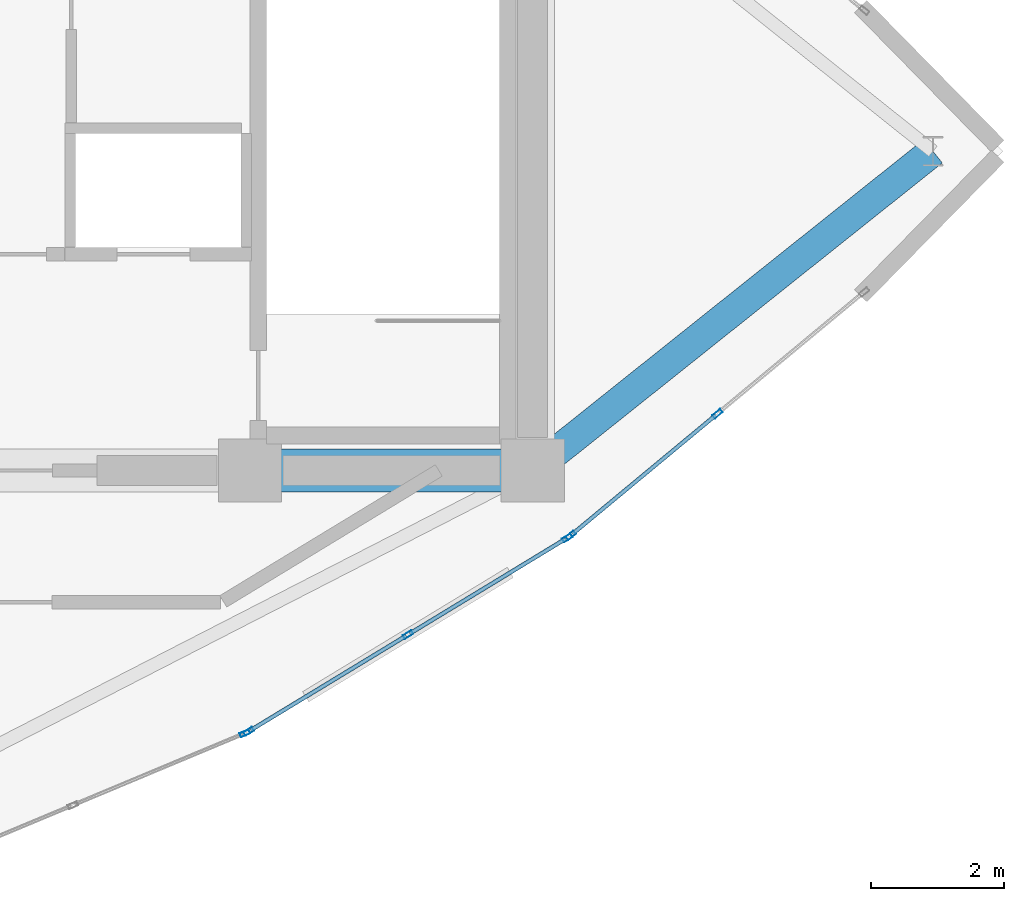
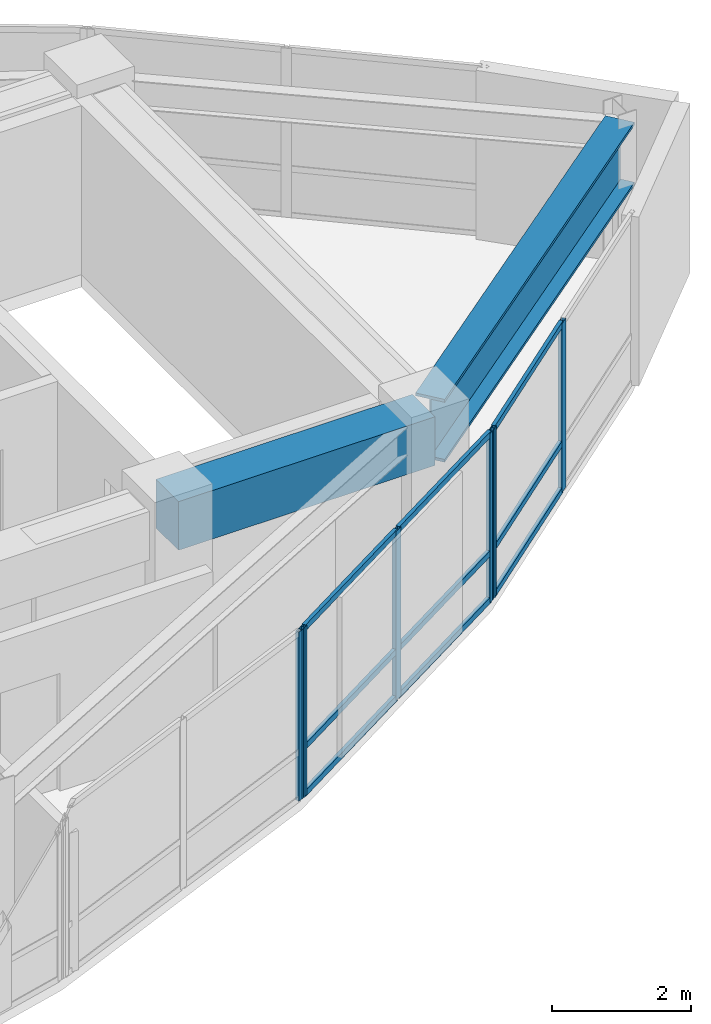
# One storey, part 5 of 13: 15 members, 2 beams, 3 elements without a shape of their own.
"""IFC4 building model written with IfcOpenShell, lengths in metres."""

from ifc_helpers import new_model, si_unit, direction, frame, origin, origin_2d, place, context, subcontext, project, spatial, rectangle, hollow_rectangle, i_section, extrude, material, layer, layer_set, material_profile, profile_set, type_object, element, aggregate, save


model = new_model("IFC4")

# Units and contexts
model_context = context("Model", 3, precision=1e-05, world=origin(), true_north=direction((0.0, 1.0)))
body_context = subcontext(model_context, "Body", "Model", "MODEL_VIEW")
ifc_project = project(units=[si_unit("LENGTHUNIT", "METRE"), si_unit("AREAUNIT", "SQUARE_METRE"), si_unit("VOLUMEUNIT", "CUBIC_METRE"), si_unit("PLANEANGLEUNIT", "RADIAN"), si_unit("MASSUNIT", "GRAM", prefix="KILO")], contexts=[model_context])

# Site, building, storey
site_placement = place(None, origin())
site = spatial("IfcSite", under=ifc_project, at=site_placement, CompositionType="ELEMENT")
building_placement = place(site_placement, origin())
building = spatial("IfcBuilding", under=site, at=building_placement, Name="Menara Vayukalpa", CompositionType="ELEMENT")
storey_placement = place(building_placement, frame((0.0, 0.0, 315.219970703125)))
storey = spatial("IfcBuildingStorey", under=building, at=storey_placement, Name="L81", CompositionType="ELEMENT", Elevation=315.219970703125)

# Beams
ifc_material_1 = material(Name="Concrete C60/75", Category="concrete")
ifc_material_profile_1 = material_profile(ifc_material_1, rectangle(XDim=0.64990234375, YDim=0.85009765625, at=origin_2d()), Name="RC 650x850")
ifc_profile_set_1 = profile_set([ifc_material_profile_1], Name="Concrete C60/75")
beam_type_1 = type_object("IfcBeamType", Name="BM-CB1", PredefinedType="BEAM", material=ifc_profile_set_1)
beam_1_placement = place(storey_placement, frame((29.14990234375, 17.199951171875, 2.534912109375), z_axis=(1.0, 0.0, 0.0), x_axis=(0.0, 1.0, 0.0)))
element("IfcBeam", 1, at=beam_1_placement, inside=storey, type_object=beam_type_1, Name="L81 Core Tie Beam CBR3", PredefinedType="BEAM", context=body_context, shape_type="SweptSolid", body=[
    extrude(rectangle(XDim=0.64990234375, YDim=0.85009765625, at=origin_2d()), origin(), (0.0, 0.0, 1.0), 4.25),
])
ifc_material_2 = material(Name="Steel S460", Category="steel")
ifc_material_profile_2 = material_profile(ifc_material_2, i_section(OverallWidth=0.449951171875, OverallDepth=1.10009765625, WebThickness=0.02490234375, FlangeThickness=0.050048828125, at=origin_2d()), Name="WG 1100x450x25x50")
ifc_profile_set_2 = profile_set([ifc_material_profile_2], Name="Steel S460")
beam_type_2 = type_object("IfcBeamType", Name="BM-MTG1", PredefinedType="BEAM", material=ifc_profile_set_2)
beam_2_placement = place(storey_placement, frame((33.595458984375, 17.35595703125, 2.409912109375), z_axis=(0.781833603421, 0.623487142258, 0.0), x_axis=(-0.623487142258, 0.781833603421, 0.0)))
element("IfcBeam", 2, at=beam_2_placement, inside=storey, type_object=beam_type_2, Name="L81 Primary Radial Girder RG01", PredefinedType="BEAM", context=body_context, shape_type="SweptSolid", body=[
    extrude(i_section(OverallWidth=0.449951171875, OverallDepth=1.10009765625, WebThickness=0.02490234375, FlangeThickness=0.050048828125, at=origin_2d()), origin(), (0.0, 0.0, 1.0), 7.448486328125),
])

# Curtain wall, member
ifc_material_3 = material(Name="Anodised Terracotta Aluminium Alloy 6063-T6", Category="masonry")
ifc_layer = layer(ifc_material_3, 0.14990234375)
ifc_layer_set = layer_set([ifc_layer], Name="Anodised Terracotta Aluminium Alloy 6063-T6")
curtain_wall_type = type_object("IfcCurtainWallType", Name="CW-CW7", PredefinedType="USERDEFINED", material=ifc_layer_set)
curtain_wall_1_placement = place(storey_placement, origin())
curtain_wall_1 = element("IfcCurtainWall", 3, at=curtain_wall_1_placement, inside=storey, type_object=curtain_wall_type, Name="L81 Crown Drum Screened Curtain Wall CW7 16", ObjectType="UNITISED", PredefinedType="USERDEFINED")
ifc_material_4 = material(Name="Anodised Terracotta Aluminium Alloy 6063-T6", Category="masonry")
ifc_material_profile_3 = material_profile(ifc_material_4, hollow_rectangle(XDim=0.06494140625, YDim=0.14990234375, WallThickness=0.00341796875, at=origin_2d()), Name="ALU 65x150x3.5")
ifc_profile_set_3 = profile_set([ifc_material_profile_3], Name="Anodised Terracotta Aluminium Alloy 6063-T6")
member_type_1 = type_object("IfcMemberType", Name="CWM-CW7", PredefinedType="MULLION", material=ifc_profile_set_3)
member_1_placement = place(storey_placement, frame((29.07177734375, 13.246337890625, 0.0), z_axis=(0.0, 0.0, 1.0), x_axis=(-0.385898361946, 0.922541302191, 0.0)))
member_1 = element("IfcMember", 4, at=member_1_placement, type_object=member_type_1, Name="CW7 mullion 3", PredefinedType="MULLION", context=body_context, shape_type="SweptSolid", body=[
    extrude(hollow_rectangle(XDim=0.06494140625, YDim=0.14990234375, WallThickness=0.00341796875, at=origin_2d()), origin(), (0.0, 0.0, 1.0), 2.9599609375),
])
aggregate(curtain_wall_1, [member_1])

# Curtain wall, members
curtain_wall_2_placement = place(storey_placement, origin())
curtain_wall_2 = element("IfcCurtainWall", 5, at=curtain_wall_2_placement, inside=storey, type_object=curtain_wall_type, Name="L81 Crown Drum Screened Curtain Wall CW7 17", ObjectType="UNITISED", PredefinedType="USERDEFINED")
member_2_placement = place(storey_placement, frame((29.129638671875, 13.27587890625, 0.0), z_axis=(0.0, 0.0, 1.0), x_axis=(-0.519176441176, 0.854667083096, 0.0)))
member_2 = element("IfcMember", 6, at=member_2_placement, type_object=member_type_1, Name="CW7 mullion 1", PredefinedType="MULLION", context=body_context, shape_type="SweptSolid", body=[
    extrude(hollow_rectangle(XDim=0.06494140625, YDim=0.14990234375, WallThickness=0.00341796875, at=origin_2d()), origin(), (0.0, 0.0, 1.0), 2.9599609375),
])
member_3_placement = place(storey_placement, frame((31.525146484375, 14.73095703125, 0.0), z_axis=(0.0, 0.0, 1.0), x_axis=(-0.519176441176, 0.854667083096, 0.0)))
member_3 = element("IfcMember", 7, at=member_3_placement, type_object=member_type_1, Name="CW7 mullion 2", PredefinedType="MULLION", context=body_context, shape_type="SweptSolid", body=[
    extrude(hollow_rectangle(XDim=0.06494140625, YDim=0.14990234375, WallThickness=0.00341796875, at=origin_2d()), origin(), (0.0, 0.0, 1.0), 2.9599609375),
])
member_4_placement = place(storey_placement, frame((33.9208984375, 16.186279296875, 0.0), z_axis=(0.0, 0.0, 1.0), x_axis=(-0.519176441176, 0.854667083096, 0.0)))
member_4 = element("IfcMember", 8, at=member_4_placement, type_object=member_type_1, Name="CW7 mullion 3", PredefinedType="MULLION", context=body_context, shape_type="SweptSolid", body=[
    extrude(hollow_rectangle(XDim=0.06494140625, YDim=0.14990234375, WallThickness=0.00341796875, at=origin_2d()), origin(), (0.0, 0.0, 1.0), 2.9599609375),
])

curtain_wall_3_placement = place(storey_placement, origin())
curtain_wall_3 = element("IfcCurtainWall", 9, at=curtain_wall_3_placement, inside=storey, type_object=curtain_wall_type, Name="L81 Crown Drum Screened Curtain Wall CW7 18", ObjectType="UNITISED", PredefinedType="USERDEFINED")
member_5_placement = place(storey_placement, frame((33.9736328125, 16.223876953125, 0.0), z_axis=(0.0, 0.0, 1.0), x_axis=(-0.63834658997, 0.7697490702, 0.0)))
member_5 = element("IfcMember", 10, at=member_5_placement, type_object=member_type_1, Name="CW7 mullion 1", PredefinedType="MULLION", context=body_context, shape_type="SweptSolid", body=[
    extrude(hollow_rectangle(XDim=0.06494140625, YDim=0.14990234375, WallThickness=0.00341796875, at=origin_2d()), origin(), (0.0, 0.0, 1.0), 2.9599609375),
])
member_6_placement = place(storey_placement, frame((36.1796875, 18.053466796875, 0.0), z_axis=(0.0, 0.0, 1.0), x_axis=(-0.63834658997, 0.7697490702, 0.0)))
member_6 = element("IfcMember", 11, at=member_6_placement, type_object=member_type_1, Name="CW7 mullion 2", PredefinedType="MULLION", context=body_context, shape_type="SweptSolid", body=[
    extrude(hollow_rectangle(XDim=0.06494140625, YDim=0.14990234375, WallThickness=0.00341796875, at=origin_2d()), origin(), (0.0, 0.0, 1.0), 2.9599609375),
])

# Member
ifc_material_5 = material(Name="Anodised Terracotta Aluminium Alloy 6063-T6", Category="masonry")
ifc_material_profile_4 = material_profile(ifc_material_5, hollow_rectangle(XDim=0.06005859375, YDim=0.10498046875, WallThickness=0.0029296875, at=origin_2d()), Name="ALU 60x105x3")
ifc_profile_set_4 = profile_set([ifc_material_profile_4], Name="Anodised Terracotta Aluminium Alloy 6063-T6")
member_type_2 = type_object("IfcMemberType", Name="CWT-CW7", PredefinedType="USERDEFINED", material=ifc_profile_set_4)
member_7_placement = place(storey_placement, frame((29.157470703125, 13.292724609375, 0.030029296875), z_axis=(0.854687194246, 0.519143332801, 0.0), x_axis=(-0.519143332801, 0.854687194246, 0.0)))
member_7 = element("IfcMember", 12, at=member_7_placement, type_object=member_type_2, Name="CW7 transom 1.1", ObjectType="TRANSOM", PredefinedType="USERDEFINED", context=body_context, shape_type="SweptSolid", body=[
    extrude(hollow_rectangle(XDim=0.06005859375, YDim=0.10498046875, WallThickness=0.0029296875, at=origin_2d()), origin(), (0.0, 0.0, 1.0), 2.738037109375),
])

member_8_placement = place(storey_placement, frame((29.157470703125, 13.292724609375, 0.85009765625), z_axis=(0.854687194246, 0.519143332801, 0.0), x_axis=(-0.519143332801, 0.854687194246, 0.0)))
member_8 = element("IfcMember", 13, at=member_8_placement, type_object=member_type_2, Name="CW7 transom 1.2", ObjectType="TRANSOM", PredefinedType="USERDEFINED", context=body_context, shape_type="SweptSolid", body=[
    extrude(hollow_rectangle(XDim=0.06005859375, YDim=0.10498046875, WallThickness=0.0029296875, at=origin_2d()), origin(), (0.0, 0.0, 1.0), 2.738037109375),
])

member_9_placement = place(storey_placement, frame((29.157470703125, 13.292724609375, 2.929931640625), z_axis=(0.854687194246, 0.519143332801, 0.0), x_axis=(-0.519143332801, 0.854687194246, 0.0)))
member_9 = element("IfcMember", 14, at=member_9_placement, type_object=member_type_2, Name="CW7 transom 1.3", ObjectType="TRANSOM", PredefinedType="USERDEFINED", context=body_context, shape_type="SweptSolid", body=[
    extrude(hollow_rectangle(XDim=0.06005859375, YDim=0.10498046875, WallThickness=0.0029296875, at=origin_2d()), origin(), (0.0, 0.0, 1.0), 2.738037109375),
])

member_10_placement = place(storey_placement, frame((31.552978515625, 14.747802734375, 0.030029296875), z_axis=(0.854647628743, 0.519208465537, 0.0), x_axis=(-0.519208465537, 0.854647628743, 0.0)))
member_10 = element("IfcMember", 15, at=member_10_placement, type_object=member_type_2, Name="CW7 transom 2.1", ObjectType="TRANSOM", PredefinedType="USERDEFINED", context=body_context, shape_type="SweptSolid", body=[
    extrude(hollow_rectangle(XDim=0.06005859375, YDim=0.10498046875, WallThickness=0.0029296875, at=origin_2d()), origin(), (0.0, 0.0, 1.0), 2.738037109375),
])

member_11_placement = place(storey_placement, frame((31.552978515625, 14.747802734375, 0.85009765625), z_axis=(0.854647628743, 0.519208465537, 0.0), x_axis=(-0.519208465537, 0.854647628743, 0.0)))
member_11 = element("IfcMember", 16, at=member_11_placement, type_object=member_type_2, Name="CW7 transom 2.2", ObjectType="TRANSOM", PredefinedType="USERDEFINED", context=body_context, shape_type="SweptSolid", body=[
    extrude(hollow_rectangle(XDim=0.06005859375, YDim=0.10498046875, WallThickness=0.0029296875, at=origin_2d()), origin(), (0.0, 0.0, 1.0), 2.738037109375),
])

member_12_placement = place(storey_placement, frame((31.552978515625, 14.747802734375, 2.929931640625), z_axis=(0.854647628743, 0.519208465537, 0.0), x_axis=(-0.519208465537, 0.854647628743, 0.0)))
member_12 = element("IfcMember", 17, at=member_12_placement, type_object=member_type_2, Name="CW7 transom 2.3", ObjectType="TRANSOM", PredefinedType="USERDEFINED", context=body_context, shape_type="SweptSolid", body=[
    extrude(hollow_rectangle(XDim=0.06005859375, YDim=0.10498046875, WallThickness=0.0029296875, at=origin_2d()), origin(), (0.0, 0.0, 1.0), 2.738037109375),
])

aggregate(curtain_wall_2, [member_2, member_3, member_4, member_7, member_8, member_9, member_10, member_11, member_12])

member_13_placement = place(storey_placement, frame((33.998779296875, 16.24462890625, 0.030029296875), z_axis=(0.769726621741, 0.638373658434, 0.0), x_axis=(-0.638373658434, 0.769726621741, 0.0)))
member_13 = element("IfcMember", 18, at=member_13_placement, type_object=member_type_2, Name="CW7 transom 1.1", ObjectType="TRANSOM", PredefinedType="USERDEFINED", context=body_context, shape_type="SweptSolid", body=[
    extrude(hollow_rectangle(XDim=0.06005859375, YDim=0.10498046875, WallThickness=0.0029296875, at=origin_2d()), origin(), (0.0, 0.0, 1.0), 2.801025390625),
])

member_14_placement = place(storey_placement, frame((33.998779296875, 16.24462890625, 0.85009765625), z_axis=(0.769726621741, 0.638373658434, 0.0), x_axis=(-0.638373658434, 0.769726621741, 0.0)))
member_14 = element("IfcMember", 19, at=member_14_placement, type_object=member_type_2, Name="CW7 transom 1.2", ObjectType="TRANSOM", PredefinedType="USERDEFINED", context=body_context, shape_type="SweptSolid", body=[
    extrude(hollow_rectangle(XDim=0.06005859375, YDim=0.10498046875, WallThickness=0.0029296875, at=origin_2d()), origin(), (0.0, 0.0, 1.0), 2.801025390625),
])

member_15_placement = place(storey_placement, frame((33.998779296875, 16.24462890625, 2.929931640625), z_axis=(0.769726621741, 0.638373658434, 0.0), x_axis=(-0.638373658434, 0.769726621741, 0.0)))
member_15 = element("IfcMember", 20, at=member_15_placement, type_object=member_type_2, Name="CW7 transom 1.3", ObjectType="TRANSOM", PredefinedType="USERDEFINED", context=body_context, shape_type="SweptSolid", body=[
    extrude(hollow_rectangle(XDim=0.06005859375, YDim=0.10498046875, WallThickness=0.0029296875, at=origin_2d()), origin(), (0.0, 0.0, 1.0), 2.801025390625),
])

aggregate(curtain_wall_3, [member_5, member_6, member_13, member_14, member_15])

save(model, "model.ifc")
